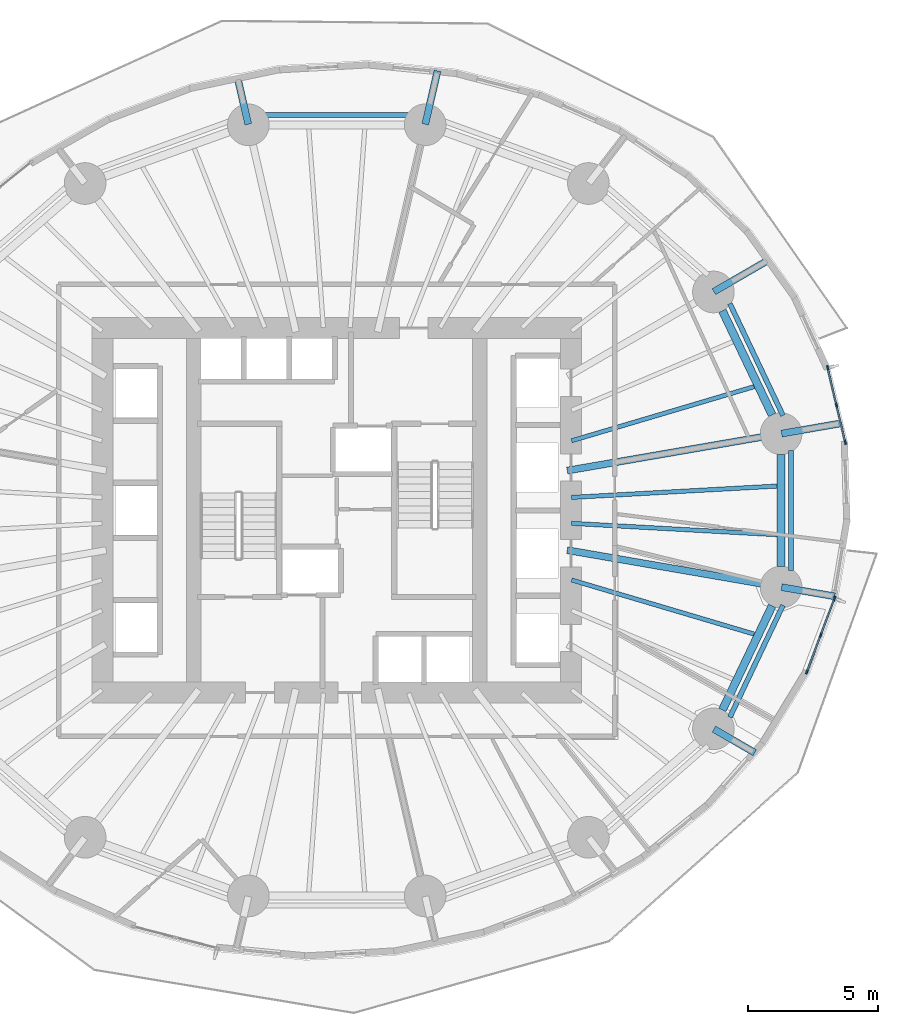
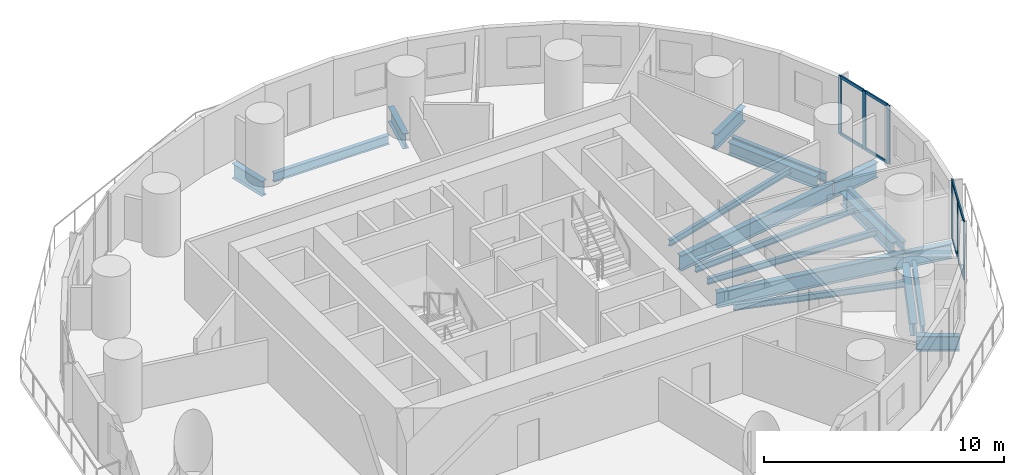
# One storey, part 5 of 14: 19 beams, 14 members, 2 elements without a shape of their own.
"""IFC4 building model written with IfcOpenShell, lengths in metres."""

from ifc_helpers import new_model, si_unit, direction, frame, origin, origin_2d, place, context, subcontext, project, spatial, rectangle, i_section, extrude, material, material_profile, profile_set, type_object, element, aggregate, save


model = new_model("IFC4")

# Units and contexts
model_context = context("Model", 3, precision=1e-05, world=origin(), true_north=direction((0.0, 1.0)))
body_context = subcontext(model_context, "Body", "Model", "MODEL_VIEW")
ifc_project = project(units=[si_unit("LENGTHUNIT", "METRE"), si_unit("AREAUNIT", "SQUARE_METRE"), si_unit("VOLUMEUNIT", "CUBIC_METRE"), si_unit("PLANEANGLEUNIT", "RADIAN"), si_unit("MASSUNIT", "GRAM", prefix="KILO")], contexts=[model_context])

# Site, building, storey
site_placement = place(None, origin())
site = spatial("IfcSite", under=ifc_project, at=site_placement, CompositionType="ELEMENT")
building_placement = place(site_placement, origin())
building = spatial("IfcBuilding", under=site, at=building_placement, Name="Veldorim Arch Residences", CompositionType="ELEMENT")
storey_placement = place(building_placement, frame((0.0, 0.0, 37.60009765625)))
storey = spatial("IfcBuildingStorey", under=building, at=storey_placement, Name="L10", CompositionType="ELEMENT", Elevation=37.60009765625)

# Beams
ifc_material_1 = material(Name="Steel S355", Category="steel")
ifc_material_profile_1 = material_profile(ifc_material_1, i_section(OverallWidth=0.30712890625, OverallDepth=0.6201171875, WebThickness=0.01416015625, FlangeThickness=0.023681640625, at=origin_2d()), Name="UB610x305x179")
ifc_profile_set_1 = profile_set([ifc_material_profile_1], Name="Steel S355")
beam_type_1 = type_object("IfcBeamType", Name="Structural Steel Beam UB610x305x179", PredefinedType="BEAM", material=ifc_profile_set_1)
for number, where, z_axis, x_axis, name in (
    (1, (48.72119140625, 27.66796875, -0.55029296875), (-0.430786696724, 0.902453778276, 0.0), (-0.902453778276, -0.430786696724, 0.0), "L10 perimeter ring tie beam 01"),
    (2, (46.812255859375, 16.3330078125, -0.55029296875), (0.430786696724, 0.902453778276, 0.0), (-0.902453778276, 0.430786696724, 0.0), "L10 perimeter ring tie beam 15"),
):
    element("IfcBeam", number, at=place(storey_placement, frame(where, z_axis=z_axis, x_axis=x_axis)), inside=storey, type_object=beam_type_1, Name=name, PredefinedType="BEAM", context=body_context, shape_type="SweptSolid", body=[
        extrude(i_section(OverallWidth=0.30712890625, OverallDepth=0.6201171875, WebThickness=0.01416015625, FlangeThickness=0.023681640625, at=origin_2d()), origin(), (0.0, 0.0, 1.0), 4.431396484375),
    ])
beam_1_placement = place(storey_placement, frame((49.065673828125, 21.85400390625, -0.55029296875), z_axis=(0.0, 1.0, 0.0), x_axis=(-1.0, 0.0, 0.0)))
element("IfcBeam", 3, at=beam_1_placement, inside=storey, type_object=beam_type_1, Name="L10 perimeter ring tie beam 16", PredefinedType="BEAM", context=body_context, shape_type="SweptSolid", body=[
    extrude(i_section(OverallWidth=0.30712890625, OverallDepth=0.6201171875, WebThickness=0.01416015625, FlangeThickness=0.023681640625, at=origin_2d()), origin(), (0.0, 0.0, 1.0), 4.2919921875),
])
ifc_material_2 = material(Name="Steel S355", Category="steel")
ifc_material_profile_2 = material_profile(ifc_material_2, i_section(OverallWidth=0.26806640625, OverallDepth=0.769775390625, WebThickness=0.015625, FlangeThickness=0.025390625, at=origin_2d()), Name="UB762x267x197")
ifc_profile_set_2 = profile_set([ifc_material_profile_2], Name="Steel S355")
beam_type_2 = type_object("IfcBeamType", Name="Structural Steel GIRDER UB762x267x197", PredefinedType="USERDEFINED", material=ifc_profile_set_2)
beam_2_placement = place(storey_placement, frame((40.852294921875, 25.528076171875, -0.625), z_axis=(0.985427548249, 0.170095699979, 0.0), x_axis=(-0.170095699979, 0.985427548249, 0.0)))
element("IfcBeam", 4, at=beam_2_placement, inside=storey, type_object=beam_type_2, Name="L10 radial floor girder 01", ObjectType="GIRDER", PredefinedType="USERDEFINED", context=body_context, shape_type="SweptSolid", body=[
    extrude(i_section(OverallWidth=0.26806640625, OverallDepth=0.769775390625, WebThickness=0.015625, FlangeThickness=0.025390625, at=origin_2d()), origin(), (0.0, 0.0, 1.0), 8.314697265625),
])
beam_3_placement = place(storey_placement, frame((49.08544921875, 26.94921875, -0.625), z_axis=(0.985409805025, 0.170198461099, 0.0), x_axis=(-0.170198461099, 0.985409805025, 0.0)))
element("IfcBeam", 5, at=beam_3_placement, inside=storey, type_object=beam_type_2, Name="L10 radial edge cantilever girder 01", ObjectType="GIRDER", PredefinedType="USERDEFINED", context=body_context, shape_type="SweptSolid", body=[
    extrude(i_section(OverallWidth=0.26806640625, OverallDepth=0.769775390625, WebThickness=0.015625, FlangeThickness=0.025390625, at=origin_2d()), origin(), (0.0, 0.0, 1.0), 2.29931640625),
])
beam_4_placement = place(storey_placement, frame((46.48486328125, 32.399169921875, -0.625), z_axis=(0.865111527822, 0.501579549453, 0.0), x_axis=(-0.501579549453, 0.865111527822, 0.0)))
element("IfcBeam", 6, at=beam_4_placement, inside=storey, type_object=beam_type_2, Name="L10 radial edge cantilever girder 02", ObjectType="GIRDER", PredefinedType="USERDEFINED", context=body_context, shape_type="SweptSolid", body=[
    extrude(i_section(OverallWidth=0.26806640625, OverallDepth=0.769775390625, WebThickness=0.015625, FlangeThickness=0.025390625, at=origin_2d()), origin(), (0.0, 0.0, 1.0), 2.426513671875),
])
beam_5_placement = place(storey_placement, frame((35.399169921875, 38.829345703125, -0.625), z_axis=(0.22340367913, 0.974726010811, 0.0), x_axis=(-0.974726010811, 0.22340367913, 0.0)))
element("IfcBeam", 7, at=beam_5_placement, inside=storey, type_object=beam_type_2, Name="L10 radial edge cantilever girder 04", ObjectType="GIRDER", PredefinedType="USERDEFINED", context=body_context, shape_type="SweptSolid", body=[
    extrude(i_section(OverallWidth=0.26806640625, OverallDepth=0.769775390625, WebThickness=0.015625, FlangeThickness=0.025390625, at=origin_2d()), origin(), (0.0, 0.0, 1.0), 2.10693359375),
])
beam_6_placement = place(storey_placement, frame((28.600830078125, 38.829345703125, -0.625), z_axis=(-0.223405058442, 0.974725694676, 0.0), x_axis=(-0.974725694676, -0.223405058442, 0.0)))
element("IfcBeam", 8, at=beam_6_placement, inside=storey, type_object=beam_type_2, Name="L10 radial edge cantilever girder 05", ObjectType="GIRDER", PredefinedType="USERDEFINED", context=body_context, shape_type="SweptSolid", body=[
    extrude(i_section(OverallWidth=0.26806640625, OverallDepth=0.769775390625, WebThickness=0.015625, FlangeThickness=0.025390625, at=origin_2d()), origin(), (0.0, 0.0, 1.0), 1.839111328125),
])
beam_7_placement = place(storey_placement, frame((46.48486328125, 15.600830078125, -0.625), z_axis=(0.86511292658, -0.501577136904, 0.0), x_axis=(0.501577136904, 0.86511292658, 0.0)))
element("IfcBeam", 9, at=beam_7_placement, inside=storey, type_object=beam_type_2, Name="L10 radial edge cantilever girder 15", ObjectType="GIRDER", PredefinedType="USERDEFINED", context=body_context, shape_type="SweptSolid", body=[
    extrude(i_section(OverallWidth=0.26806640625, OverallDepth=0.769775390625, WebThickness=0.015625, FlangeThickness=0.025390625, at=origin_2d()), origin(), (0.0, 0.0, 1.0), 1.814697265625),
])
beam_8_placement = place(storey_placement, frame((40.852294921875, 22.471923828125, -0.625), z_axis=(0.985427548249, -0.170095699979, 0.0), x_axis=(0.170095699979, 0.985427548249, 0.0)))
element("IfcBeam", 10, at=beam_8_placement, inside=storey, type_object=beam_type_2, Name="L10 radial floor girder 16", ObjectType="GIRDER", PredefinedType="USERDEFINED", context=body_context, shape_type="SweptSolid", body=[
    extrude(i_section(OverallWidth=0.26806640625, OverallDepth=0.769775390625, WebThickness=0.015625, FlangeThickness=0.025390625, at=origin_2d()), origin(), (0.0, 0.0, 1.0), 8.314697265625),
])
beam_9_placement = place(storey_placement, frame((49.08544921875, 21.05078125, -0.625), z_axis=(0.985426816784, -0.170099937575, 0.0), x_axis=(0.170099937575, 0.985426816784, 0.0)))
element("IfcBeam", 11, at=beam_9_placement, inside=storey, type_object=beam_type_2, Name="L10 radial edge cantilever girder 16", ObjectType="GIRDER", PredefinedType="USERDEFINED", context=body_context, shape_type="SweptSolid", body=[
    extrude(i_section(OverallWidth=0.26806640625, OverallDepth=0.769775390625, WebThickness=0.015625, FlangeThickness=0.025390625, at=origin_2d()), origin(), (0.0, 0.0, 1.0), 2.075439453125),
])
ifc_material_3 = material(Name="Steel S355", Category="steel")
ifc_material_profile_3 = material_profile(ifc_material_3, i_section(OverallWidth=0.165771484375, OverallDepth=0.306640625, WebThickness=0.006591796875, FlangeThickness=0.01171875, at=origin_2d()), Name="UB305x165x46")
ifc_profile_set_3 = profile_set([ifc_material_profile_3], Name="Steel S355")
beam_type_3 = type_object("IfcBeamType", Name="Structural Steel Joist UB305x165x46", PredefinedType="JOIST", material=ifc_profile_set_3)
for number, where, z_axis, x_axis, name in (
    (12, (41.019287109375, 26.67333984375, -0.393310546875), (0.958766778771, 0.284194060325, 0.0), (-0.284194060325, 0.958766778771, 0.0), "L10 secondary radial floor joist 01-1"),
    (13, (41.019287109375, 21.32666015625, -0.393310546875), (0.958766778771, -0.284194060325, 0.0), (0.284194060325, 0.958766778771, 0.0), "L10 secondary radial floor joist 15-2"),
):
    element("IfcBeam", number, at=place(storey_placement, frame(where, z_axis=z_axis, x_axis=x_axis)), inside=storey, type_object=beam_type_3, Name=name, PredefinedType="JOIST", context=body_context, shape_type="SweptSolid", body=[
        extrude(i_section(OverallWidth=0.165771484375, OverallDepth=0.306640625, WebThickness=0.006591796875, FlangeThickness=0.01171875, at=origin_2d()), origin(), (0.0, 0.0, 1.0), 7.3115234375),
    ])
for number, where, z_axis, x_axis, name in (
    (14, (41.02001953125, 23.501708984375, -0.393310546875), (0.998478371109, -0.055144740699, 0.0), (0.055144740699, 0.998478371109, 0.0), "L10 secondary radial floor joist 16-1"),
    (15, (41.02001953125, 24.498291015625, -0.393310546875), (0.998478371109, 0.055144740699, 0.0), (-0.055144740699, 0.998478371109, 0.0), "L10 secondary radial floor joist 16-2"),
):
    element("IfcBeam", number, at=place(storey_placement, frame(where, z_axis=z_axis, x_axis=x_axis)), inside=storey, type_object=beam_type_3, Name=name, PredefinedType="JOIST", context=body_context, shape_type="SweptSolid", body=[
        extrude(i_section(OverallWidth=0.165771484375, OverallDepth=0.306640625, WebThickness=0.006591796875, FlangeThickness=0.01171875, at=origin_2d()), origin(), (0.0, 0.0, 1.0), 7.898193359375),
    ])
ifc_material_4 = material(Name="Steel S355", Category="steel")
ifc_material_profile_4 = material_profile(ifc_material_4, i_section(OverallWidth=0.19140625, OverallDepth=0.4599609375, WebThickness=0.010009765625, FlangeThickness=0.01611328125, at=origin_2d()), Name="UB457x191x82")
ifc_profile_set_4 = profile_set([ifc_material_profile_4], Name="Steel S355")
beam_type_4 = type_object("IfcBeamType", Name="Structural Steel Spandrel UB457x191x82", PredefinedType="SPANDREL", material=ifc_profile_set_4)
beam_10_placement = place(storey_placement, frame((49.13818359375, 27.646484375, -0.489990234375), z_axis=(-0.42886940858, 0.903366498374, 0.0), x_axis=(-0.903366498374, -0.42886940858, 0.0)))
element("IfcBeam", 16, at=beam_10_placement, inside=storey, type_object=beam_type_4, Name="L10 perimeter chord spandrel beam 01", PredefinedType="SPANDREL", context=body_context, shape_type="SweptSolid", body=[
    extrude(i_section(OverallWidth=0.19140625, OverallDepth=0.4599609375, WebThickness=0.010009765625, FlangeThickness=0.01611328125, at=origin_2d()), origin(), (0.0, 0.0, 1.0), 4.7568359375),
])
beam_11_placement = place(storey_placement, frame((34.775390625, 39.180419921875, -0.489990234375), z_axis=(-1.0, 0.0, 0.0), x_axis=(0.0, -1.0, 0.0)))
element("IfcBeam", 17, at=beam_11_placement, inside=storey, type_object=beam_type_4, Name="L10 perimeter chord spandrel beam 04", PredefinedType="SPANDREL", context=body_context, shape_type="SweptSolid", body=[
    extrude(i_section(OverallWidth=0.19140625, OverallDepth=0.4599609375, WebThickness=0.010009765625, FlangeThickness=0.01611328125, at=origin_2d()), origin(), (0.0, 0.0, 1.0), 5.55078125),
])
beam_12_placement = place(storey_placement, frame((47.09814453125, 16.056396484375, -0.489990234375), z_axis=(0.42886940858, 0.903366498374, 0.0), x_axis=(-0.903366498374, 0.42886940858, 0.0)))
element("IfcBeam", 18, at=beam_12_placement, inside=storey, type_object=beam_type_4, Name="L10 perimeter chord spandrel beam 15", PredefinedType="SPANDREL", context=body_context, shape_type="SweptSolid", body=[
    extrude(i_section(OverallWidth=0.19140625, OverallDepth=0.4599609375, WebThickness=0.010009765625, FlangeThickness=0.01611328125, at=origin_2d()), origin(), (0.0, 0.0, 1.0), 4.7568359375),
])
beam_13_placement = place(storey_placement, frame((49.440185546875, 21.693603515625, -0.489990234375), z_axis=(0.0, 1.0, 0.0), x_axis=(-1.0, 0.0, 0.0)))
element("IfcBeam", 19, at=beam_13_placement, inside=storey, type_object=beam_type_4, Name="L10 perimeter chord spandrel beam 16", PredefinedType="SPANDREL", context=body_context, shape_type="SweptSolid", body=[
    extrude(i_section(OverallWidth=0.19140625, OverallDepth=0.4599609375, WebThickness=0.010009765625, FlangeThickness=0.01611328125, at=origin_2d()), origin(), (0.0, 0.0, 1.0), 4.61279296875),
])

# Curtain wall, members
ifc_material_5 = material(Name="Aluminium", Category="aluminium")
curtain_wall_type = type_object("IfcCurtainWallType", Name="Zone 1 Acoustic Low-E Unitised Curtain Wall", PredefinedType="NOTDEFINED", material=ifc_material_5)
curtain_wall_1_placement = place(storey_placement, origin())
curtain_wall_1 = element("IfcCurtainWall", 20, at=curtain_wall_1_placement, inside=storey, type_object=curtain_wall_type, Name="L10 unitised curtain wall bay 01", PredefinedType="NOTDEFINED")
ifc_material_6 = material(Name="Aluminium", Category="aluminium")
ifc_material_profile_5 = material_profile(ifc_material_6, rectangle(XDim=0.06494140625, YDim=0.175048828125, at=origin_2d()), Name="ALU_MUL_65x175")
ifc_profile_set_5 = profile_set([ifc_material_profile_5], Name="Aluminium")
member_type_1 = type_object("IfcMemberType", Name="Zone 1 Acoustic Low-E Unitised Curtain Wall Mullion 65x175", PredefinedType="MULLION", material=ifc_profile_set_5)
member_1_placement = place(storey_placement, frame((50.856689453125, 29.473876953125, 0.0), z_axis=(0.0, 0.0, 1.0), x_axis=(0.973129808051, 0.230257196808, 0.0)))
member_1 = element("IfcMember", 21, at=member_1_placement, type_object=member_type_1, Name="CW-Z1 mullion 1", PredefinedType="MULLION", context=body_context, shape_type="SweptSolid", body=[
    extrude(rectangle(XDim=0.06494140625, YDim=0.175048828125, at=origin_2d()), origin(), (0.0, 0.0, 1.0), 2.9599609375),
])
member_2_placement = place(storey_placement, frame((51.194580078125, 28.044921875, 0.0), z_axis=(0.0, 0.0, 1.0), x_axis=(0.973129808051, 0.230257196808, 0.0)))
member_2 = element("IfcMember", 22, at=member_2_placement, type_object=member_type_1, Name="CW-Z1 mullion 2", PredefinedType="MULLION", context=body_context, shape_type="SweptSolid", body=[
    extrude(rectangle(XDim=0.06494140625, YDim=0.175048828125, at=origin_2d()), origin(), (0.0, 0.0, 1.0), 2.9599609375),
])
member_3_placement = place(storey_placement, frame((51.53271484375, 26.615966796875, 0.0), z_axis=(0.0, 0.0, 1.0), x_axis=(0.973129808051, 0.230257196808, 0.0)))
member_3 = element("IfcMember", 23, at=member_3_placement, type_object=member_type_1, Name="CW-Z1 mullion 3", PredefinedType="MULLION", context=body_context, shape_type="SweptSolid", body=[
    extrude(rectangle(XDim=0.06494140625, YDim=0.175048828125, at=origin_2d()), origin(), (0.0, 0.0, 1.0), 2.9599609375),
])

curtain_wall_2_placement = place(storey_placement, origin())
curtain_wall_2 = element("IfcCurtainWall", 24, at=curtain_wall_2_placement, inside=storey, type_object=curtain_wall_type, Name="L10 unitised curtain wall bay 34", PredefinedType="NOTDEFINED")
member_4_placement = place(storey_placement, frame((51.122314453125, 20.61767578125, 0.0), z_axis=(0.0, 0.0, 1.0), x_axis=(0.9356558675, -0.352913725454, 0.0)))
member_4 = element("IfcMember", 25, at=member_4_placement, type_object=member_type_1, Name="CW-Z1 mullion 1", PredefinedType="MULLION", context=body_context, shape_type="SweptSolid", body=[
    extrude(rectangle(XDim=0.06494140625, YDim=0.175048828125, at=origin_2d()), origin(), (0.0, 0.0, 1.0), 2.9599609375),
])
member_5_placement = place(storey_placement, frame((50.589599609375, 19.205322265625, 0.0), z_axis=(0.0, 0.0, 1.0), x_axis=(0.9356558675, -0.352913725454, 0.0)))
member_5 = element("IfcMember", 26, at=member_5_placement, type_object=member_type_1, Name="CW-Z1 mullion 2", PredefinedType="MULLION", context=body_context, shape_type="SweptSolid", body=[
    extrude(rectangle(XDim=0.06494140625, YDim=0.175048828125, at=origin_2d()), origin(), (0.0, 0.0, 1.0), 2.9599609375),
])
member_6_placement = place(storey_placement, frame((50.056884765625, 17.79296875, 0.0), z_axis=(0.0, 0.0, 1.0), x_axis=(0.9356558675, -0.352913725454, 0.0)))
member_6 = element("IfcMember", 27, at=member_6_placement, type_object=member_type_1, Name="CW-Z1 mullion 3", PredefinedType="MULLION", context=body_context, shape_type="SweptSolid", body=[
    extrude(rectangle(XDim=0.06494140625, YDim=0.175048828125, at=origin_2d()), origin(), (0.0, 0.0, 1.0), 2.9599609375),
])

# Member
ifc_material_7 = material(Name="Aluminium", Category="aluminium")
ifc_material_profile_6 = material_profile(ifc_material_7, rectangle(XDim=0.06494140625, YDim=0.14990234375, at=origin_2d()), Name="ALU_TRN_65x150")
ifc_profile_set_6 = profile_set([ifc_material_profile_6], Name="Aluminium")
member_type_2 = type_object("IfcMemberType", Name="Zone 1 Acoustic Low-E Unitised Curtain Wall Transom 65x150", PredefinedType="USERDEFINED", material=ifc_profile_set_6)
member_7_placement = place(storey_placement, frame((50.864013671875, 29.442138671875, 0.032470703125), z_axis=(0.230319002626, -0.97311518179, 0.0), x_axis=(0.97311518179, 0.230319002626, 0.0)))
member_7 = element("IfcMember", 28, at=member_7_placement, type_object=member_type_2, Name="CW-Z1 transom 1.1", ObjectType="TRANSOM", PredefinedType="USERDEFINED", context=body_context, shape_type="SweptSolid", body=[
    extrude(rectangle(XDim=0.06494140625, YDim=0.14990234375, at=origin_2d()), origin(), (0.0, 0.0, 1.0), 1.403564453125),
])

member_8_placement = place(storey_placement, frame((50.864013671875, 29.442138671875, 2.927490234375), z_axis=(0.230319002626, -0.97311518179, 0.0), x_axis=(0.97311518179, 0.230319002626, 0.0)))
member_8 = element("IfcMember", 29, at=member_8_placement, type_object=member_type_2, Name="CW-Z1 transom 1.2", ObjectType="TRANSOM", PredefinedType="USERDEFINED", context=body_context, shape_type="SweptSolid", body=[
    extrude(rectangle(XDim=0.06494140625, YDim=0.14990234375, at=origin_2d()), origin(), (0.0, 0.0, 1.0), 1.403564453125),
])

member_9_placement = place(storey_placement, frame((51.2021484375, 28.01318359375, 0.032470703125), z_axis=(0.230319002626, -0.97311518179, 0.0), x_axis=(0.97311518179, 0.230319002626, 0.0)))
member_9 = element("IfcMember", 30, at=member_9_placement, type_object=member_type_2, Name="CW-Z1 transom 2.1", ObjectType="TRANSOM", PredefinedType="USERDEFINED", context=body_context, shape_type="SweptSolid", body=[
    extrude(rectangle(XDim=0.06494140625, YDim=0.14990234375, at=origin_2d()), origin(), (0.0, 0.0, 1.0), 1.403564453125),
])

member_10_placement = place(storey_placement, frame((51.2021484375, 28.01318359375, 2.927490234375), z_axis=(0.230319002626, -0.97311518179, 0.0), x_axis=(0.97311518179, 0.230319002626, 0.0)))
member_10 = element("IfcMember", 31, at=member_10_placement, type_object=member_type_2, Name="CW-Z1 transom 2.2", ObjectType="TRANSOM", PredefinedType="USERDEFINED", context=body_context, shape_type="SweptSolid", body=[
    extrude(rectangle(XDim=0.06494140625, YDim=0.14990234375, at=origin_2d()), origin(), (0.0, 0.0, 1.0), 1.403564453125),
])

aggregate(curtain_wall_1, [member_1, member_2, member_3, member_7, member_8, member_9, member_10])

member_11_placement = place(storey_placement, frame((51.11083984375, 20.58740234375, 0.032470703125), z_axis=(-0.352845127387, -0.935681738669, 0.0), x_axis=(0.935681738669, -0.352845127387, 0.0)))
member_11 = element("IfcMember", 32, at=member_11_placement, type_object=member_type_2, Name="CW-Z1 transom 1.1", ObjectType="TRANSOM", PredefinedType="USERDEFINED", context=body_context, shape_type="SweptSolid", body=[
    extrude(rectangle(XDim=0.06494140625, YDim=0.14990234375, at=origin_2d()), origin(), (0.0, 0.0, 1.0), 1.44482421875),
])

member_12_placement = place(storey_placement, frame((51.11083984375, 20.58740234375, 2.927490234375), z_axis=(-0.352845127387, -0.935681738669, 0.0), x_axis=(0.935681738669, -0.352845127387, 0.0)))
member_12 = element("IfcMember", 33, at=member_12_placement, type_object=member_type_2, Name="CW-Z1 transom 1.2", ObjectType="TRANSOM", PredefinedType="USERDEFINED", context=body_context, shape_type="SweptSolid", body=[
    extrude(rectangle(XDim=0.06494140625, YDim=0.14990234375, at=origin_2d()), origin(), (0.0, 0.0, 1.0), 1.44482421875),
])

member_13_placement = place(storey_placement, frame((50.578125, 19.1748046875, 0.032470703125), z_axis=(-0.352900926809, -0.935660694834, 0.0), x_axis=(0.935660694834, -0.352900926809, 0.0)))
member_13 = element("IfcMember", 34, at=member_13_placement, type_object=member_type_2, Name="CW-Z1 transom 2.1", ObjectType="TRANSOM", PredefinedType="USERDEFINED", context=body_context, shape_type="SweptSolid", body=[
    extrude(rectangle(XDim=0.06494140625, YDim=0.14990234375, at=origin_2d()), origin(), (0.0, 0.0, 1.0), 1.444580078125),
])

member_14_placement = place(storey_placement, frame((50.578125, 19.1748046875, 2.927490234375), z_axis=(-0.352900926809, -0.935660694834, 0.0), x_axis=(0.935660694834, -0.352900926809, 0.0)))
member_14 = element("IfcMember", 35, at=member_14_placement, type_object=member_type_2, Name="CW-Z1 transom 2.2", ObjectType="TRANSOM", PredefinedType="USERDEFINED", context=body_context, shape_type="SweptSolid", body=[
    extrude(rectangle(XDim=0.06494140625, YDim=0.14990234375, at=origin_2d()), origin(), (0.0, 0.0, 1.0), 1.444580078125),
])

aggregate(curtain_wall_2, [member_4, member_5, member_6, member_11, member_12, member_13, member_14])

save(model, "model.ifc")
